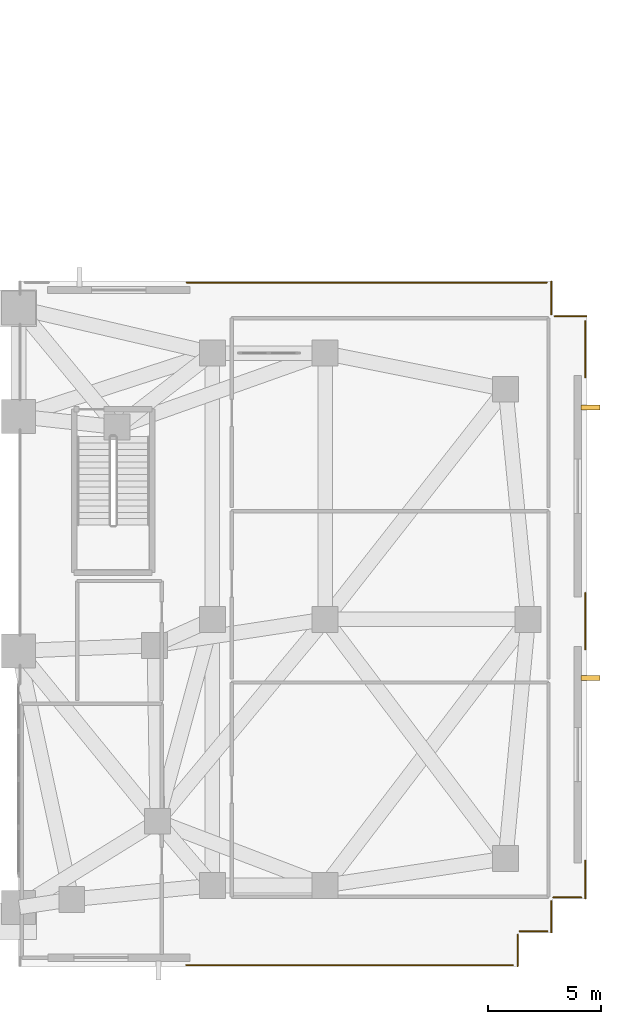
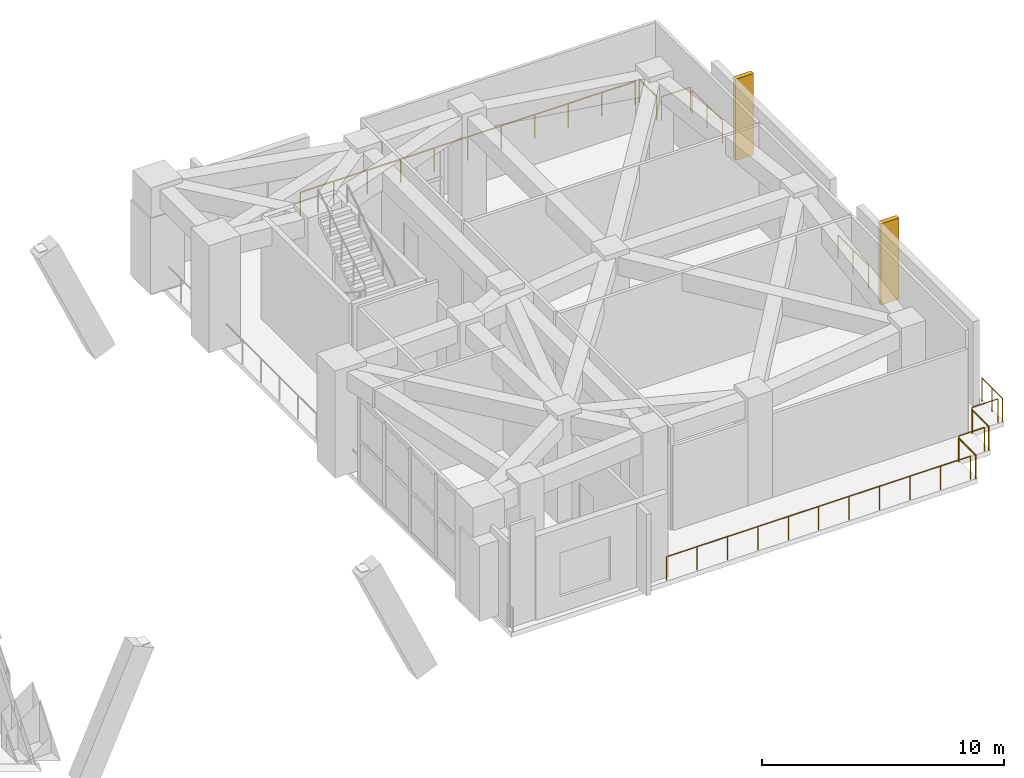
# One storey, part 18 of 18: 11 railings, 2 shading devices.
"""IFC4 building model written with IfcOpenShell, lengths in metres."""

import ifcopenshell
import ifcopenshell.guid

model = None  # the IFC model being written
_history = None  # IfcOwnerHistory: only IFC2X3 demands one
_inside = {}  # id of a spatial element -> (the spatial element, [elements in it])
_under = {}  # id of a project, library or spatial element -> (it, [spatial elements below it])
_declared = {}  # id of a project -> (the project, [libraries it declares])
_typed = {}  # id of a type object -> (the type object, [elements of that type])
_made_of = {}  # id of a material, layer set ... -> (it, [elements and type objects made of it])


def new_model(schema):
    """Start an empty IFC model of exactly this schema.

    Asked for "IFC4X3", IfcOpenShell would pick the latest addendum, in which some entities
    have other attributes; the version numbers below select the first issue.
    IFC2X3 requires an IfcOwnerHistory on every rooted entity: one is made here for all.
    """
    global model, _history
    if schema == "IFC4X3":
        model = ifcopenshell.file(schema_version=(4, 3, 0, 0))
    else:
        model = ifcopenshell.file(schema=schema)
    _inside.clear()
    _under.clear()
    _declared.clear()
    _typed.clear()
    _made_of.clear()
    _history = None
    if model.schema == "IFC2X3":
        org = make("IfcOrganization", Name="unknown")
        user = make(
            "IfcPersonAndOrganization",
            ThePerson=make("IfcPerson", FamilyName="unknown"),
            TheOrganization=org,
        )
        app = make(
            "IfcApplication",
            ApplicationDeveloper=org,
            Version="unknown",
            ApplicationFullName="unknown",
            ApplicationIdentifier="unknown",
        )
        _history = make(
            "IfcOwnerHistory",
            OwningUser=user,
            OwningApplication=app,
            ChangeAction="ADDED",
            CreationDate=0,
        )
    return model


def make(cls, **values):
    """One entity of the class cls with the attributes given. An attribute that is None is left unset."""
    return model.create_entity(
        cls, **{name: value for name, value in values.items() if value is not None}
    )


def rooted(cls, **values):
    """An entity with a GlobalId (a new one), such as an element, a storey or a relation."""
    return make(cls, GlobalId=ifcopenshell.guid.new(), OwnerHistory=_history, **values)


def si_unit(unit_type, name, prefix=None):
    """IfcSIUnit, for example si_unit("LENGTHUNIT", "METRE", prefix="MILLI")."""
    return make("IfcSIUnit", UnitType=unit_type, Prefix=prefix, Name=name)


def assignment(units):
    """IfcUnitAssignment: the units of a project."""
    return None if units is None else make("IfcUnitAssignment", Units=units)


def point(xyz):
    """IfcCartesianPoint."""
    return None if xyz is None else make("IfcCartesianPoint", Coordinates=xyz)


def direction(xyz):
    """IfcDirection."""
    return None if xyz is None else make("IfcDirection", DirectionRatios=xyz)


def frame(location, z_axis=None, x_axis=None):
    """IfcAxis2Placement3D, a coordinate frame: its origin and axes. An axis left out is left unset."""
    return make(
        "IfcAxis2Placement3D",
        Location=point(location),
        Axis=direction(z_axis),
        RefDirection=direction(x_axis),
    )


def frame_2d(location, x_axis=None):
    """IfcAxis2Placement2D, a coordinate frame in the plane: its origin and x axis."""
    return make(
        "IfcAxis2Placement2D", Location=point(location), RefDirection=direction(x_axis)
    )


def origin():
    """The frame at (0, 0, 0) with its axes left unset."""
    return frame((0.0, 0.0, 0.0))


def origin_2d():
    """The frame at (0, 0) in the plane with its x axis left unset."""
    return frame_2d((0.0, 0.0))


def place(relative_to, where):
    """IfcLocalPlacement: puts the frame where relative to a parent placement (None: the world)."""
    return make(
        "IfcLocalPlacement", PlacementRelTo=relative_to, RelativePlacement=where
    )


def context(
    kind, dimensions, precision=None, world=None, true_north=None, identifier=None
):
    """IfcGeometricRepresentationContext, for example the 3D "Model" context."""
    return make(
        "IfcGeometricRepresentationContext",
        ContextIdentifier=identifier,
        ContextType=kind,
        CoordinateSpaceDimension=dimensions,
        Precision=precision,
        WorldCoordinateSystem=world,
        TrueNorth=true_north,
    )


def subcontext(parent, identifier, kind, view, scale=None):
    """IfcGeometricRepresentationSubContext, for example "Body" below "Model"."""
    return make(
        "IfcGeometricRepresentationSubContext",
        ContextIdentifier=identifier,
        ContextType=kind,
        ParentContext=parent,
        TargetScale=scale,
        TargetView=view,
    )


def project(units=None, contexts=None):
    """IfcProject with its units and contexts."""
    return rooted(
        "IfcProject",
        Name="project",
        RepresentationContexts=contexts,
        UnitsInContext=assignment(units),
    )


def spatial(cls, under=None, at=None, **own):
    """A site, building, storey or space (cls), placed at a placement, below another one or the project."""
    s = rooted(cls, ObjectPlacement=at, **own)
    if under is not None:
        _under.setdefault(under.id(), (under, []))[1].append(s)
    return s


def profile(cls, at=None, kind="AREA", **sizes):
    """A parametric profile (cls). Its sizes go by their IFC names, for example OverallWidth=200.0."""
    return make(cls, ProfileType=kind, Position=at, **sizes)


def rectangle(**sizes):
    """IfcRectangleProfileDef."""
    return profile("IfcRectangleProfileDef", **sizes)


def circle(**sizes):
    """IfcCircleProfileDef."""
    return profile("IfcCircleProfileDef", **sizes)


def extrude(swept, where, along, depth):
    """IfcExtrudedAreaSolid: the profile swept, set in the frame where, extruded along a direction by depth."""
    return make(
        "IfcExtrudedAreaSolid",
        SweptArea=swept,
        Position=where,
        ExtrudedDirection=direction(along),
        Depth=depth,
    )


def shape(context_of_items, identifier, shape_type, items):
    """IfcShapeRepresentation: the items that make up one representation, for example the "Body"."""
    return make(
        "IfcShapeRepresentation",
        ContextOfItems=context_of_items,
        RepresentationIdentifier=identifier,
        RepresentationType=shape_type,
        Items=items,
    )


def material(Name=None, Category=None):
    """IfcMaterial."""
    return make("IfcMaterial", Name=Name, Category=Category)


def layer(
    of_material, thickness, ventilated=None, Name=None, Category=None, Priority=None
):
    """IfcMaterialLayer: one layer of a wall or slab, of a material (None: an air gap)."""
    return make(
        "IfcMaterialLayer",
        Material=of_material,
        LayerThickness=thickness,
        IsVentilated=ventilated,
        Name=Name,
        Category=Category,
        Priority=Priority,
    )


def layer_set(layers, Name=None):
    """IfcMaterialLayerSet."""
    return make("IfcMaterialLayerSet", MaterialLayers=layers, LayerSetName=Name)


def made_of(thing, what):
    """Note that an element or type object is made of a material, layer set ...; save() writes the relation."""
    if what is not None:
        _made_of.setdefault(what.id(), (what, []))[1].append(thing)
    return thing


def type_object(cls, material=None, **own):
    """A type object (cls), such as IfcWallType, which elements share."""
    return made_of(rooted(cls, **own), material)


def element(
    cls,
    number,
    at=None,
    inside=None,
    cuts=None,
    type_object=None,
    material=None,
    context=None,
    identifier="Body",
    shape_type=None,
    held_by="IfcProductDefinitionShape",
    body=None,
    shapes=None,
    **own,
):
    """One element of the class cls, such as IfcWall. Its Tag is "e" and its number.

    at: its placement. inside: the storey or other place that contains it. cuts: it is an
    opening in that element (IfcRelVoidsElement). A single representation is given by context,
    identifier, shape_type and body (its items); several are given by shapes. held_by: the class
    of the entity that holds the representations. save() writes the other relations.
    """
    e = rooted(cls, Tag="e%d" % number, ObjectPlacement=at, **own)
    if body is not None:
        shapes = [shape(context, identifier, shape_type, body)]
    if shapes is not None:
        e.Representation = make(held_by, Representations=shapes)
    if inside is not None:
        _inside.setdefault(inside.id(), (inside, []))[1].append(e)
    if cuts is not None:
        rooted(
            "IfcRelVoidsElement", RelatingBuildingElement=cuts, RelatedOpeningElement=e
        )
    if type_object is not None:
        _typed.setdefault(type_object.id(), (type_object, []))[1].append(e)
    return made_of(e, material)


def aggregate(whole, parts):
    """IfcRelAggregates: a whole, such as a stair, and the parts it consists of."""
    return rooted("IfcRelAggregates", RelatingObject=whole, RelatedObjects=parts)


def save(model, path):
    """Write the relations noted so far, then the file.

    IfcRelAggregates (storeys below a building ...), IfcRelContainedInSpatialStructure (elements
    in a storey), IfcRelDefinesByType, IfcRelAssociatesMaterial and IfcRelDeclares: one each for
    every whole, place, type object, material and project.
    """
    for whole, parts in _under.values():
        aggregate(whole, parts)
    for where, things in _inside.values():
        rooted(
            "IfcRelContainedInSpatialStructure",
            RelatedElements=things,
            RelatingStructure=where,
        )
    for kind, things in _typed.values():
        rooted("IfcRelDefinesByType", RelatedObjects=things, RelatingType=kind)
    for what, things in _made_of.values():
        rooted("IfcRelAssociatesMaterial", RelatedObjects=things, RelatingMaterial=what)
    for by, libraries in _declared.values():
        rooted("IfcRelDeclares", RelatingContext=by, RelatedDefinitions=libraries)
    model.write(path)


model = new_model("IFC4")

# Units and contexts
model_context = context("Model", 3, precision=1e-05, world=origin(), true_north=direction((0.0, 1.0)))
body_context = subcontext(model_context, "Body", "Model", "MODEL_VIEW")
ifc_project = project(units=[si_unit("LENGTHUNIT", "METRE"), si_unit("AREAUNIT", "SQUARE_METRE"), si_unit("VOLUMEUNIT", "CUBIC_METRE"), si_unit("PLANEANGLEUNIT", "RADIAN"), si_unit("MASSUNIT", "GRAM", prefix="KILO")], contexts=[model_context])

# Site, building, storey
site_placement = place(None, origin())
site = spatial("IfcSite", under=ifc_project, at=site_placement, CompositionType="ELEMENT")
building_placement = place(site_placement, origin())
building = spatial("IfcBuilding", under=site, at=building_placement, Name="Gaonmaruhae Medical Tower", CompositionType="ELEMENT")
storey_placement = place(building_placement, frame((0.0, 0.0, 16.199951171875)))
storey = spatial("IfcBuildingStorey", under=building, at=storey_placement, Name="L03", CompositionType="ELEMENT", Elevation=16.199951171875)

# Railings
ifc_material_1 = material(Name="Stainless steel 316L and laminated safety glass", Category="steel")
ifc_layer = layer(ifc_material_1, 0.080078125)
ifc_layer_set = layer_set([ifc_layer], Name="Stainless steel 316L and laminated safety glass")
railing_type = type_object("IfcRailingType", Name="GD-120 Outdoor Terrace Safety Glass & Steel Balustrade", PredefinedType="BALUSTRADE", material=ifc_layer_set)
railing_1_placement = place(storey_placement, frame((81.22998046875, 30.3798828125, 0.0)))
element("IfcRailing", 1, at=railing_1_placement, inside=storey, type_object=railing_type, Name="L03 Perimeter Slab Edge Safety Balustrade 23", PredefinedType="BALUSTRADE", context=body_context, shape_type="SweptSolid", body=[
    extrude(circle(Radius=0.02392578125, at=origin_2d()), frame((0.0, 0.0, 1.17578125), z_axis=(0.0, -1.0, 0.0), x_axis=(1.0, 0.0, 0.0)), (0.0, 0.0, 1.0), 1.4599609375),
    extrude(circle(Radius=0.02099609375, at=origin_2d()), origin(), (0.0, 0.0, 1.0), 1.15185546875),
    extrude(circle(Radius=0.02099609375, at=origin_2d()), frame((0.0, -1.4599609375, 0.0)), (0.0, 0.0, 1.0), 1.15185546875),
])
railing_2_placement = place(storey_placement, frame((81.38671875, 28.830078125, 0.0)))
element("IfcRailing", 2, at=railing_2_placement, inside=storey, type_object=railing_type, Name="L03 Perimeter Slab Edge Safety Balustrade 24", PredefinedType="BALUSTRADE", context=body_context, shape_type="SweptSolid", body=[
    extrude(circle(Radius=0.02392578125, at=origin_2d()), frame((0.0, 0.0, 1.17578125), z_axis=(1.0, 0.0, 0.0), x_axis=(0.0, 1.0, 0.0)), (0.0, 0.0, 1.0), 1.393310546875),
    extrude(circle(Radius=0.02099609375, at=origin_2d()), origin(), (0.0, 0.0, 1.0), 1.15185546875),
    extrude(circle(Radius=0.02099609375, at=origin_2d()), frame((1.393310546875, 0.0, 0.0)), (0.0, 0.0, 1.0), 1.15185546875),
])
for number, where, name in (
    (3, (82.72998046875, 28.620361328125, 0.0), "L03 Perimeter Slab Edge Safety Balustrade 25"),
    (4, (82.72998046875, 16.569580078125, 0.0), "L03 Perimeter Slab Edge Safety Balustrade 26"),
):
    element("IfcRailing", number, at=place(storey_placement, frame(where)), inside=storey, type_object=railing_type, Name=name, PredefinedType="BALUSTRADE", context=body_context, shape_type="SweptSolid", body=[
        extrude(circle(Radius=0.02392578125, at=origin_2d()), frame((0.0, 0.0, 1.17578125), z_axis=(0.0, -1.0, 0.0), x_axis=(1.0, 0.0, 0.0)), (0.0, 0.0, 1.0), 2.498291015625),
        extrude(circle(Radius=0.02099609375, at=origin_2d()), origin(), (0.0, 0.0, 1.0), 1.15185546875),
        extrude(circle(Radius=0.02099609375, at=origin_2d()), frame((0.0, -1.2490234375, 0.0)), (0.0, 0.0, 1.0), 1.15185546875),
        extrude(circle(Radius=0.02099609375, at=origin_2d()), frame((0.0, -2.498291015625, 0.0)), (0.0, 0.0, 1.0), 1.15185546875),
    ])
railing_3_placement = place(storey_placement, frame((82.72998046875, 4.69873046875, 0.0)))
element("IfcRailing", 5, at=railing_3_placement, inside=storey, type_object=railing_type, Name="L03 Perimeter Slab Edge Safety Balustrade 27", PredefinedType="BALUSTRADE", context=body_context, shape_type="SweptSolid", body=[
    extrude(circle(Radius=0.02392578125, at=origin_2d()), frame((0.0, 0.0, 1.17578125), z_axis=(0.0, -1.0, 0.0), x_axis=(1.0, 0.0, 0.0)), (0.0, 0.0, 1.0), 1.6787109375),
    extrude(circle(Radius=0.02099609375, at=origin_2d()), origin(), (0.0, 0.0, 1.0), 1.15185546875),
    extrude(circle(Radius=0.02099609375, at=origin_2d()), frame((0.0, -0.83935546875, 0.0)), (0.0, 0.0, 1.0), 1.15185546875),
    extrude(circle(Radius=0.02099609375, at=origin_2d()), frame((0.0, -1.6787109375, 0.0)), (0.0, 0.0, 1.0), 1.15185546875),
])
railing_4_placement = place(storey_placement, frame((82.546630859375, 3.070068359375, 0.0)))
element("IfcRailing", 6, at=railing_4_placement, inside=storey, type_object=railing_type, Name="L03 Perimeter Slab Edge Safety Balustrade 28", PredefinedType="BALUSTRADE", context=body_context, shape_type="SweptSolid", body=[
    extrude(circle(Radius=0.02392578125, at=origin_2d()), frame((0.0, 0.0, 1.17578125), z_axis=(-1.0, 0.0, 0.0), x_axis=(0.0, -1.0, 0.0)), (0.0, 0.0, 1.0), 1.2265625),
    extrude(circle(Radius=0.02099609375, at=origin_2d()), origin(), (0.0, 0.0, 1.0), 1.15185546875),
    extrude(circle(Radius=0.02099609375, at=origin_2d()), frame((-1.2265625, 0.0, 0.0)), (0.0, 0.0, 1.0), 1.15185546875),
])
railing_5_placement = place(storey_placement, frame((81.22998046875, 2.913330078125, 0.0)))
element("IfcRailing", 7, at=railing_5_placement, inside=storey, type_object=railing_type, Name="L03 Perimeter Slab Edge Safety Balustrade 29", PredefinedType="BALUSTRADE", context=body_context, shape_type="SweptSolid", body=[
    extrude(circle(Radius=0.02392578125, at=origin_2d()), frame((0.0, 0.0, 1.17578125), z_axis=(0.0, -1.0, 0.0), x_axis=(1.0, 0.0, 0.0)), (0.0, 0.0, 1.0), 1.393310546875),
    extrude(circle(Radius=0.02099609375, at=origin_2d()), origin(), (0.0, 0.0, 1.0), 1.15185546875),
    extrude(circle(Radius=0.02099609375, at=origin_2d()), frame((0.0, -1.393310546875, 0.0)), (0.0, 0.0, 1.0), 1.15185546875),
])
railing_6_placement = place(storey_placement, frame((81.046630859375, 1.570068359375, 0.0)))
element("IfcRailing", 8, at=railing_6_placement, inside=storey, type_object=railing_type, Name="L03 Perimeter Slab Edge Safety Balustrade 30", PredefinedType="BALUSTRADE", context=body_context, shape_type="SweptSolid", body=[
    extrude(circle(Radius=0.02392578125, at=origin_2d()), frame((0.0, 0.0, 1.17578125), z_axis=(-1.0, 0.0, 0.0), x_axis=(0.0, -1.0, 0.0)), (0.0, 0.0, 1.0), 1.2265625),
    extrude(circle(Radius=0.02099609375, at=origin_2d()), origin(), (0.0, 0.0, 1.0), 1.15185546875),
    extrude(circle(Radius=0.02099609375, at=origin_2d()), frame((-1.2265625, 0.0, 0.0)), (0.0, 0.0, 1.0), 1.15185546875),
])
railing_7_placement = place(storey_placement, frame((79.72998046875, 1.413330078125, 0.0)))
element("IfcRailing", 9, at=railing_7_placement, inside=storey, type_object=railing_type, Name="L03 Perimeter Slab Edge Safety Balustrade 31", PredefinedType="BALUSTRADE", context=body_context, shape_type="SweptSolid", body=[
    extrude(circle(Radius=0.02392578125, at=origin_2d()), frame((0.0, 0.0, 1.17578125), z_axis=(0.0, -1.0, 0.0), x_axis=(1.0, 0.0, 0.0)), (0.0, 0.0, 1.0), 1.393310546875),
    extrude(circle(Radius=0.02099609375, at=origin_2d()), origin(), (0.0, 0.0, 1.0), 1.15185546875),
    extrude(circle(Radius=0.02099609375, at=origin_2d()), frame((0.0, -1.393310546875, 0.0)), (0.0, 0.0, 1.0), 1.15185546875),
])
railing_8_placement = place(storey_placement, frame((79.52197265625, 0.070068359375, 0.0)))
element("IfcRailing", 10, at=railing_8_placement, inside=storey, type_object=railing_type, Name="L03 Perimeter Slab Edge Safety Balustrade 32", PredefinedType="BALUSTRADE", context=body_context, shape_type="SweptSolid", body=[
    extrude(circle(Radius=0.02392578125, at=origin_2d()), frame((0.0, 0.0, 1.17578125), z_axis=(-1.0, 0.0, 0.0), x_axis=(0.0, -1.0, 0.0)), (0.0, 0.0, 1.0), 14.482666015625),
    extrude(circle(Radius=0.02099609375, at=origin_2d()), origin(), (0.0, 0.0, 1.0), 1.15185546875),
    extrude(circle(Radius=0.02099609375, at=origin_2d()), frame((-1.4482421875, 0.0, 0.0)), (0.0, 0.0, 1.0), 1.15185546875),
    extrude(circle(Radius=0.02099609375, at=origin_2d()), frame((-2.896484375, 0.0, 0.0)), (0.0, 0.0, 1.0), 1.15185546875),
    extrude(circle(Radius=0.02099609375, at=origin_2d()), frame((-4.3447265625, 0.0, 0.0)), (0.0, 0.0, 1.0), 1.15185546875),
    extrude(circle(Radius=0.02099609375, at=origin_2d()), frame((-5.79296875, 0.0, 0.0)), (0.0, 0.0, 1.0), 1.15185546875),
    extrude(circle(Radius=0.02099609375, at=origin_2d()), frame((-7.2412109375, 0.0, 0.0)), (0.0, 0.0, 1.0), 1.15185546875),
    extrude(circle(Radius=0.02099609375, at=origin_2d()), frame((-8.689697265625, 0.0, 0.0)), (0.0, 0.0, 1.0), 1.15185546875),
    extrude(circle(Radius=0.02099609375, at=origin_2d()), frame((-10.137939453125, 0.0, 0.0)), (0.0, 0.0, 1.0), 1.15185546875),
    extrude(circle(Radius=0.02099609375, at=origin_2d()), frame((-11.586181640625, 0.0, 0.0)), (0.0, 0.0, 1.0), 1.15185546875),
    extrude(circle(Radius=0.02099609375, at=origin_2d()), frame((-13.034423828125, 0.0, 0.0)), (0.0, 0.0, 1.0), 1.15185546875),
    extrude(circle(Radius=0.02099609375, at=origin_2d()), frame((-14.482666015625, 0.0, 0.0)), (0.0, 0.0, 1.0), 1.15185546875),
])
railing_9_placement = place(storey_placement, frame((65.060791015625, 30.330078125, 0.0)))
element("IfcRailing", 11, at=railing_9_placement, inside=storey, type_object=railing_type, Name="L03 Perimeter Slab Edge Safety Balustrade 39", PredefinedType="BALUSTRADE", context=body_context, shape_type="SweptSolid", body=[
    extrude(circle(Radius=0.02392578125, at=origin_2d()), frame((0.0, 0.0, 1.17578125), z_axis=(1.0, 0.0, 0.0), x_axis=(0.0, 1.0, 0.0)), (0.0, 0.0, 1.0), 15.960205078125),
    extrude(circle(Radius=0.02099609375, at=origin_2d()), origin(), (0.0, 0.0, 1.0), 1.15185546875),
    extrude(circle(Radius=0.02099609375, at=origin_2d()), frame((1.595947265625, 0.0, 0.0)), (0.0, 0.0, 1.0), 1.15185546875),
    extrude(circle(Radius=0.02099609375, at=origin_2d()), frame((3.192138671875, 0.0, 0.0)), (0.0, 0.0, 1.0), 1.15185546875),
    extrude(circle(Radius=0.02099609375, at=origin_2d()), frame((4.7880859375, 0.0, 0.0)), (0.0, 0.0, 1.0), 1.15185546875),
    extrude(circle(Radius=0.02099609375, at=origin_2d()), frame((6.384033203125, 0.0, 0.0)), (0.0, 0.0, 1.0), 1.15185546875),
    extrude(circle(Radius=0.02099609375, at=origin_2d()), frame((7.97998046875, 0.0, 0.0)), (0.0, 0.0, 1.0), 1.15185546875),
    extrude(circle(Radius=0.02099609375, at=origin_2d()), frame((9.576171875, 0.0, 0.0)), (0.0, 0.0, 1.0), 1.15185546875),
    extrude(circle(Radius=0.02099609375, at=origin_2d()), frame((11.172119140625, 0.0, 0.0)), (0.0, 0.0, 1.0), 1.15185546875),
    extrude(circle(Radius=0.02099609375, at=origin_2d()), frame((12.76806640625, 0.0, 0.0)), (0.0, 0.0, 1.0), 1.15185546875),
    extrude(circle(Radius=0.02099609375, at=origin_2d()), frame((14.3642578125, 0.0, 0.0)), (0.0, 0.0, 1.0), 1.15185546875),
    extrude(circle(Radius=0.02099609375, at=origin_2d()), frame((15.960205078125, 0.0, 0.0)), (0.0, 0.0, 1.0), 1.15185546875),
])

# Shading devices
ifc_material_2 = material(Name="Pigmented coral precast concrete C45/55", Category="concrete")
shading_device_type = type_object("IfcShadingDeviceType", Name="SD-FIN2 Podium Vertical Coral Precast Shading Fin", PredefinedType="USERDEFINED", material=ifc_material_2)
for number, where, z_axis, x_axis, name in (
    (12, (82.965087890625, 12.800048828125, 0.06494140625), (0.0, 0.0, 1.0), (0.0, -1.0, 0.0), "L03 Podium Coral Precast Shading Fin PB-E1"),
    (13, (82.965087890625, 24.800048828125, 0.06494140625), (0.0, 0.0, 1.0), (0.0, -1.0, 0.0), "L03 Podium Coral Precast Shading Fin PB-E2"),
):
    element("IfcShadingDevice", number, at=place(storey_placement, frame(where, z_axis=z_axis, x_axis=x_axis)), inside=storey, type_object=shading_device_type, Name=name, ObjectType="FIN", PredefinedType="USERDEFINED", context=body_context, shape_type="SweptSolid", body=[
        extrude(rectangle(XDim=0.219970703125, YDim=0.85009765625, at=origin_2d()), origin(), (0.0, 0.0, 1.0), 4.10009765625),
    ])

save(model, "model.ifc")
